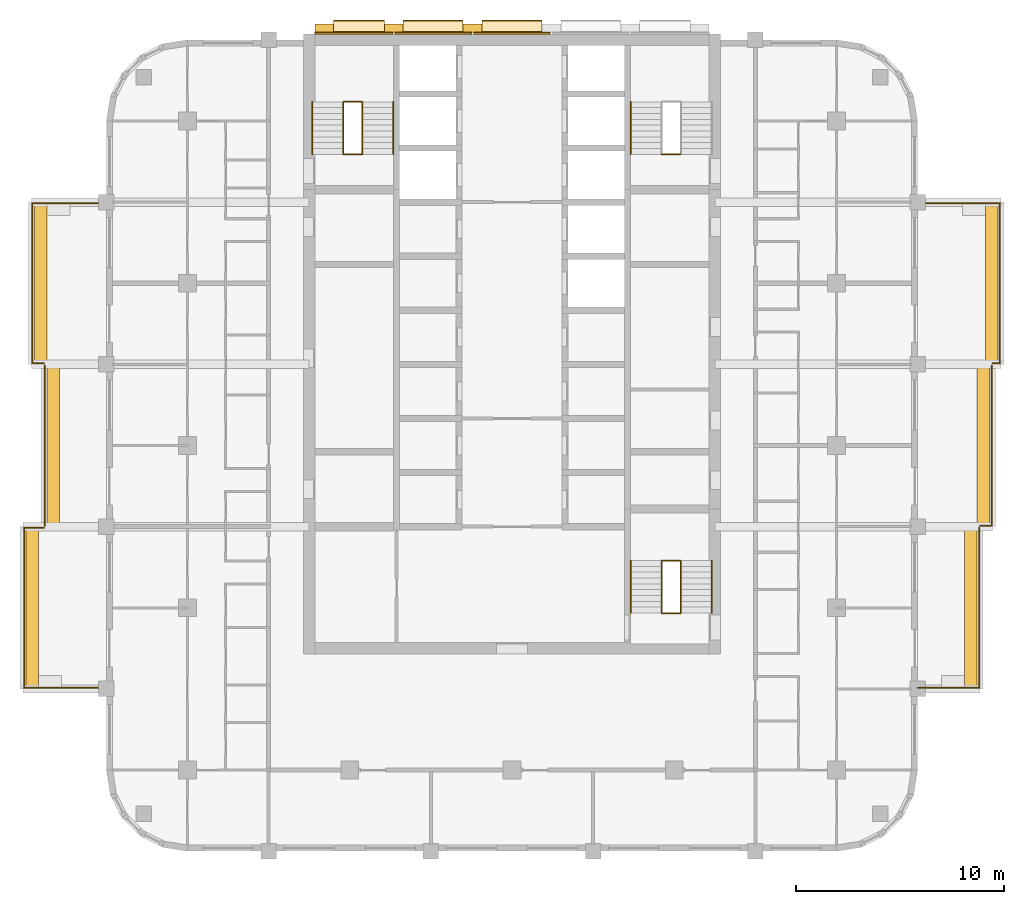
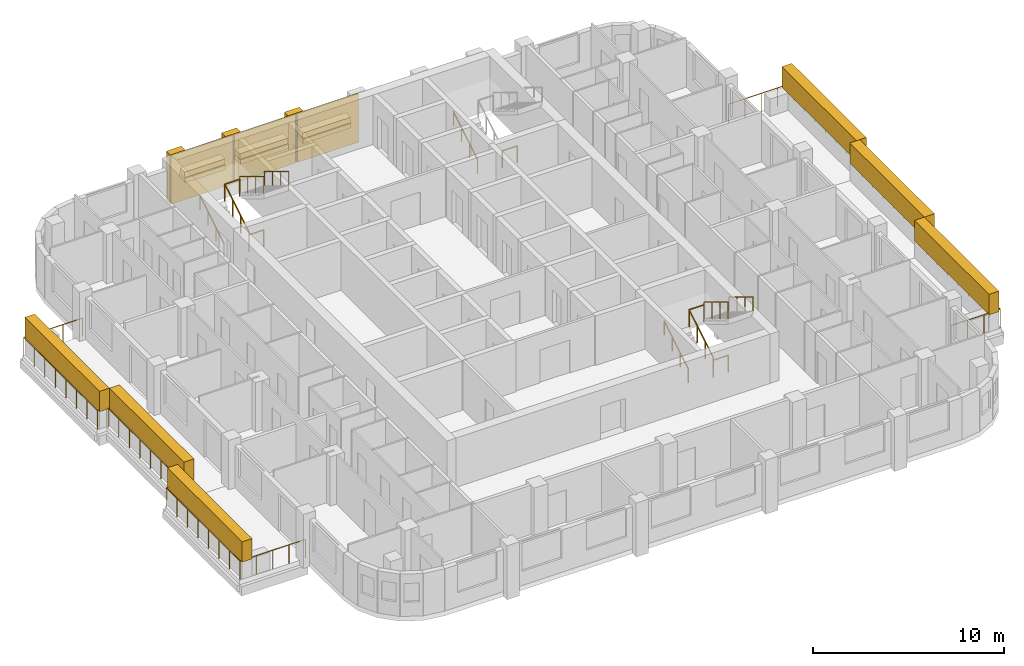
# One storey, part 12 of 13: 20 railings, 18 coverings, 3 elements without a shape of their own.
"""IFC4 building model written with IfcOpenShell, lengths in metres."""

import ifcopenshell
import ifcopenshell.guid

model = None  # the IFC model being written
_history = None  # IfcOwnerHistory: only IFC2X3 demands one
_inside = {}  # id of a spatial element -> (the spatial element, [elements in it])
_under = {}  # id of a project, library or spatial element -> (it, [spatial elements below it])
_declared = {}  # id of a project -> (the project, [libraries it declares])
_typed = {}  # id of a type object -> (the type object, [elements of that type])
_made_of = {}  # id of a material, layer set ... -> (it, [elements and type objects made of it])


def new_model(schema):
    """Start an empty IFC model of exactly this schema.

    Asked for "IFC4X3", IfcOpenShell would pick the latest addendum, in which some entities
    have other attributes; the version numbers below select the first issue.
    IFC2X3 requires an IfcOwnerHistory on every rooted entity: one is made here for all.
    """
    global model, _history
    if schema == "IFC4X3":
        model = ifcopenshell.file(schema_version=(4, 3, 0, 0))
    else:
        model = ifcopenshell.file(schema=schema)
    _inside.clear()
    _under.clear()
    _declared.clear()
    _typed.clear()
    _made_of.clear()
    _history = None
    if model.schema == "IFC2X3":
        org = make("IfcOrganization", Name="unknown")
        user = make(
            "IfcPersonAndOrganization",
            ThePerson=make("IfcPerson", FamilyName="unknown"),
            TheOrganization=org,
        )
        app = make(
            "IfcApplication",
            ApplicationDeveloper=org,
            Version="unknown",
            ApplicationFullName="unknown",
            ApplicationIdentifier="unknown",
        )
        _history = make(
            "IfcOwnerHistory",
            OwningUser=user,
            OwningApplication=app,
            ChangeAction="ADDED",
            CreationDate=0,
        )
    return model


def make(cls, **values):
    """One entity of the class cls with the attributes given. An attribute that is None is left unset."""
    return model.create_entity(
        cls, **{name: value for name, value in values.items() if value is not None}
    )


def rooted(cls, **values):
    """An entity with a GlobalId (a new one), such as an element, a storey or a relation."""
    return make(cls, GlobalId=ifcopenshell.guid.new(), OwnerHistory=_history, **values)


def si_unit(unit_type, name, prefix=None):
    """IfcSIUnit, for example si_unit("LENGTHUNIT", "METRE", prefix="MILLI")."""
    return make("IfcSIUnit", UnitType=unit_type, Prefix=prefix, Name=name)


def assignment(units):
    """IfcUnitAssignment: the units of a project."""
    return None if units is None else make("IfcUnitAssignment", Units=units)


def point(xyz):
    """IfcCartesianPoint."""
    return None if xyz is None else make("IfcCartesianPoint", Coordinates=xyz)


def direction(xyz):
    """IfcDirection."""
    return None if xyz is None else make("IfcDirection", DirectionRatios=xyz)


def frame(location, z_axis=None, x_axis=None):
    """IfcAxis2Placement3D, a coordinate frame: its origin and axes. An axis left out is left unset."""
    return make(
        "IfcAxis2Placement3D",
        Location=point(location),
        Axis=direction(z_axis),
        RefDirection=direction(x_axis),
    )


def frame_2d(location, x_axis=None):
    """IfcAxis2Placement2D, a coordinate frame in the plane: its origin and x axis."""
    return make(
        "IfcAxis2Placement2D", Location=point(location), RefDirection=direction(x_axis)
    )


def origin():
    """The frame at (0, 0, 0) with its axes left unset."""
    return frame((0.0, 0.0, 0.0))


def origin_2d():
    """The frame at (0, 0) in the plane with its x axis left unset."""
    return frame_2d((0.0, 0.0))


def place(relative_to, where):
    """IfcLocalPlacement: puts the frame where relative to a parent placement (None: the world)."""
    return make(
        "IfcLocalPlacement", PlacementRelTo=relative_to, RelativePlacement=where
    )


def context(
    kind, dimensions, precision=None, world=None, true_north=None, identifier=None
):
    """IfcGeometricRepresentationContext, for example the 3D "Model" context."""
    return make(
        "IfcGeometricRepresentationContext",
        ContextIdentifier=identifier,
        ContextType=kind,
        CoordinateSpaceDimension=dimensions,
        Precision=precision,
        WorldCoordinateSystem=world,
        TrueNorth=true_north,
    )


def subcontext(parent, identifier, kind, view, scale=None):
    """IfcGeometricRepresentationSubContext, for example "Body" below "Model"."""
    return make(
        "IfcGeometricRepresentationSubContext",
        ContextIdentifier=identifier,
        ContextType=kind,
        ParentContext=parent,
        TargetScale=scale,
        TargetView=view,
    )


def project(units=None, contexts=None):
    """IfcProject with its units and contexts."""
    return rooted(
        "IfcProject",
        Name="project",
        RepresentationContexts=contexts,
        UnitsInContext=assignment(units),
    )


def spatial(cls, under=None, at=None, **own):
    """A site, building, storey or space (cls), placed at a placement, below another one or the project."""
    s = rooted(cls, ObjectPlacement=at, **own)
    if under is not None:
        _under.setdefault(under.id(), (under, []))[1].append(s)
    return s


def profile(cls, at=None, kind="AREA", **sizes):
    """A parametric profile (cls). Its sizes go by their IFC names, for example OverallWidth=200.0."""
    return make(cls, ProfileType=kind, Position=at, **sizes)


def rectangle(**sizes):
    """IfcRectangleProfileDef."""
    return profile("IfcRectangleProfileDef", **sizes)


def circle(**sizes):
    """IfcCircleProfileDef."""
    return profile("IfcCircleProfileDef", **sizes)


def extrude(swept, where, along, depth):
    """IfcExtrudedAreaSolid: the profile swept, set in the frame where, extruded along a direction by depth."""
    return make(
        "IfcExtrudedAreaSolid",
        SweptArea=swept,
        Position=where,
        ExtrudedDirection=direction(along),
        Depth=depth,
    )


def shape(context_of_items, identifier, shape_type, items):
    """IfcShapeRepresentation: the items that make up one representation, for example the "Body"."""
    return make(
        "IfcShapeRepresentation",
        ContextOfItems=context_of_items,
        RepresentationIdentifier=identifier,
        RepresentationType=shape_type,
        Items=items,
    )


def material(Name=None, Category=None):
    """IfcMaterial."""
    return make("IfcMaterial", Name=Name, Category=Category)


def layer(
    of_material, thickness, ventilated=None, Name=None, Category=None, Priority=None
):
    """IfcMaterialLayer: one layer of a wall or slab, of a material (None: an air gap)."""
    return make(
        "IfcMaterialLayer",
        Material=of_material,
        LayerThickness=thickness,
        IsVentilated=ventilated,
        Name=Name,
        Category=Category,
        Priority=Priority,
    )


def layer_set(layers, Name=None):
    """IfcMaterialLayerSet."""
    return make("IfcMaterialLayerSet", MaterialLayers=layers, LayerSetName=Name)


def made_of(thing, what):
    """Note that an element or type object is made of a material, layer set ...; save() writes the relation."""
    if what is not None:
        _made_of.setdefault(what.id(), (what, []))[1].append(thing)
    return thing


def type_object(cls, material=None, **own):
    """A type object (cls), such as IfcWallType, which elements share."""
    return made_of(rooted(cls, **own), material)


def element(
    cls,
    number,
    at=None,
    inside=None,
    cuts=None,
    type_object=None,
    material=None,
    context=None,
    identifier="Body",
    shape_type=None,
    held_by="IfcProductDefinitionShape",
    body=None,
    shapes=None,
    **own,
):
    """One element of the class cls, such as IfcWall. Its Tag is "e" and its number.

    at: its placement. inside: the storey or other place that contains it. cuts: it is an
    opening in that element (IfcRelVoidsElement). A single representation is given by context,
    identifier, shape_type and body (its items); several are given by shapes. held_by: the class
    of the entity that holds the representations. save() writes the other relations.
    """
    e = rooted(cls, Tag="e%d" % number, ObjectPlacement=at, **own)
    if body is not None:
        shapes = [shape(context, identifier, shape_type, body)]
    if shapes is not None:
        e.Representation = make(held_by, Representations=shapes)
    if inside is not None:
        _inside.setdefault(inside.id(), (inside, []))[1].append(e)
    if cuts is not None:
        rooted(
            "IfcRelVoidsElement", RelatingBuildingElement=cuts, RelatedOpeningElement=e
        )
    if type_object is not None:
        _typed.setdefault(type_object.id(), (type_object, []))[1].append(e)
    return made_of(e, material)


def aggregate(whole, parts):
    """IfcRelAggregates: a whole, such as a stair, and the parts it consists of."""
    return rooted("IfcRelAggregates", RelatingObject=whole, RelatedObjects=parts)


def save(model, path):
    """Write the relations noted so far, then the file.

    IfcRelAggregates (storeys below a building ...), IfcRelContainedInSpatialStructure (elements
    in a storey), IfcRelDefinesByType, IfcRelAssociatesMaterial and IfcRelDeclares: one each for
    every whole, place, type object, material and project.
    """
    for whole, parts in _under.values():
        aggregate(whole, parts)
    for where, things in _inside.values():
        rooted(
            "IfcRelContainedInSpatialStructure",
            RelatedElements=things,
            RelatingStructure=where,
        )
    for kind, things in _typed.values():
        rooted("IfcRelDefinesByType", RelatedObjects=things, RelatingType=kind)
    for what, things in _made_of.values():
        rooted("IfcRelAssociatesMaterial", RelatedObjects=things, RelatingMaterial=what)
    for by, libraries in _declared.values():
        rooted("IfcRelDeclares", RelatingContext=by, RelatedDefinitions=libraries)
    model.write(path)


model = new_model("IFC4")

# Units and contexts
model_context = context("Model", 3, precision=1e-05, world=origin(), true_north=direction((0.0, 1.0)))
body_context = subcontext(model_context, "Body", "Model", "MODEL_VIEW")
ifc_project = project(units=[si_unit("LENGTHUNIT", "METRE"), si_unit("AREAUNIT", "SQUARE_METRE"), si_unit("VOLUMEUNIT", "CUBIC_METRE"), si_unit("PLANEANGLEUNIT", "RADIAN"), si_unit("MASSUNIT", "GRAM", prefix="KILO")], contexts=[model_context])

# Site, building, storey
site_placement = place(None, origin())
site = spatial("IfcSite", under=ifc_project, at=site_placement, CompositionType="ELEMENT")
building_placement = place(site_placement, origin())
building = spatial("IfcBuilding", under=site, at=building_placement, Name="Ludao Terraces", CompositionType="ELEMENT")
storey_placement = place(building_placement, frame((0.0, 0.0, 148.60009765625)))
storey = spatial("IfcBuildingStorey", under=building, at=storey_placement, Name="L40", CompositionType="ELEMENT", Elevation=148.60009765625)

# Railings
ifc_material_1 = material(Name="Stainless steel 304", Category="steel")
railing_type_1 = type_object("IfcRailingType", Name="ENV Balcony glass guard 1200", PredefinedType="GUARDRAIL", material=ifc_material_1)
railing_1_placement = place(storey_placement, frame((104.5, 53.35009765625, 0.0)))
element("IfcRailing", 1, at=railing_1_placement, inside=storey, type_object=railing_type_1, Name="Balcony guard L40 E1", PredefinedType="GUARDRAIL", context=body_context, shape_type="SweptSolid", body=[
    extrude(circle(Radius=0.02392578125, at=origin_2d()), frame((0.0, 0.0, 1.17578125), z_axis=(1.0, 0.0, 0.0), x_axis=(0.0, 1.0, 0.0)), (0.0, 0.0, 1.0), 2.949951171875),
    extrude(circle(Radius=0.02392578125, at=origin_2d()), frame((2.949951171875, 0.0, 1.17578125), z_axis=(0.0, 1.0, 0.0), x_axis=(-1.0, 0.0, 0.0)), (0.0, 0.0, 1.0), 7.699951171875),
    extrude(circle(Radius=0.02099609375, at=origin_2d()), origin(), (0.0, 0.0, 1.0), 1.15185546875),
    extrude(circle(Radius=0.02099609375, at=origin_2d()), frame((0.9833984375, 0.0, 0.0)), (0.0, 0.0, 1.0), 1.15185546875),
    extrude(circle(Radius=0.02099609375, at=origin_2d()), frame((1.966552734375, 0.0, 0.0)), (0.0, 0.0, 1.0), 1.15185546875),
    extrude(circle(Radius=0.02099609375, at=origin_2d()), frame((2.949951171875, 0.0, 0.0)), (0.0, 0.0, 1.0), 1.15185546875),
    extrude(circle(Radius=0.02099609375, at=origin_2d()), frame((2.949951171875, 1.10009765625, 0.0)), (0.0, 0.0, 1.0), 1.15185546875),
    extrude(circle(Radius=0.02099609375, at=origin_2d()), frame((2.949951171875, 2.199951171875, 0.0)), (0.0, 0.0, 1.0), 1.15185546875),
    extrude(circle(Radius=0.02099609375, at=origin_2d()), frame((2.949951171875, 3.300048828125, 0.0)), (0.0, 0.0, 1.0), 1.15185546875),
    extrude(circle(Radius=0.02099609375, at=origin_2d()), frame((2.949951171875, 4.39990234375, 0.0)), (0.0, 0.0, 1.0), 1.15185546875),
    extrude(circle(Radius=0.02099609375, at=origin_2d()), frame((2.949951171875, 5.5, 0.0)), (0.0, 0.0, 1.0), 1.15185546875),
    extrude(circle(Radius=0.02099609375, at=origin_2d()), frame((2.949951171875, 6.599853515625, 0.0)), (0.0, 0.0, 1.0), 1.15185546875),
    extrude(circle(Radius=0.02099609375, at=origin_2d()), frame((2.949951171875, 7.699951171875, 0.0)), (0.0, 0.0, 1.0), 1.15185546875),
])
railing_2_placement = place(storey_placement, frame((107.5, 61.14990234375, 0.0)))
element("IfcRailing", 2, at=railing_2_placement, inside=storey, type_object=railing_type_1, Name="Balcony guard L40 E2", PredefinedType="GUARDRAIL", context=body_context, shape_type="SweptSolid", body=[
    extrude(circle(Radius=0.02392578125, at=origin_2d()), frame((0.0, 0.0, 1.17578125), z_axis=(1.0, 0.0, 0.0), x_axis=(0.0, 1.0, 0.0)), (0.0, 0.0, 1.0), 0.550048828125),
    extrude(circle(Radius=0.02392578125, at=origin_2d()), frame((0.550048828125, 0.0, 1.17578125), z_axis=(0.0, 1.0, 0.0), x_axis=(-1.0, 0.0, 0.0)), (0.0, 0.0, 1.0), 7.7001953125),
    extrude(circle(Radius=0.02099609375, at=origin_2d()), origin(), (0.0, 0.0, 1.0), 1.15185546875),
    extrude(circle(Radius=0.02099609375, at=origin_2d()), frame((0.550048828125, 0.0, 0.0)), (0.0, 0.0, 1.0), 1.15185546875),
    extrude(circle(Radius=0.02099609375, at=origin_2d()), frame((0.550048828125, 1.10009765625, 0.0)), (0.0, 0.0, 1.0), 1.15185546875),
    extrude(circle(Radius=0.02099609375, at=origin_2d()), frame((0.550048828125, 2.199951171875, 0.0)), (0.0, 0.0, 1.0), 1.15185546875),
    extrude(circle(Radius=0.02099609375, at=origin_2d()), frame((0.550048828125, 3.300048828125, 0.0)), (0.0, 0.0, 1.0), 1.15185546875),
    extrude(circle(Radius=0.02099609375, at=origin_2d()), frame((0.550048828125, 4.400146484375, 0.0)), (0.0, 0.0, 1.0), 1.15185546875),
    extrude(circle(Radius=0.02099609375, at=origin_2d()), frame((0.550048828125, 5.500244140625, 0.0)), (0.0, 0.0, 1.0), 1.15185546875),
    extrude(circle(Radius=0.02099609375, at=origin_2d()), frame((0.550048828125, 6.60009765625, 0.0)), (0.0, 0.0, 1.0), 1.15185546875),
    extrude(circle(Radius=0.02099609375, at=origin_2d()), frame((0.550048828125, 7.7001953125, 0.0)), (0.0, 0.0, 1.0), 1.15185546875),
])
railing_3_placement = place(storey_placement, frame((108.10009765625, 68.949951171875, 0.0)))
element("IfcRailing", 3, at=railing_3_placement, inside=storey, type_object=railing_type_1, Name="Balcony guard L40 E3", PredefinedType="GUARDRAIL", context=body_context, shape_type="SweptSolid", body=[
    extrude(circle(Radius=0.02392578125, at=origin_2d()), frame((0.0, 0.0, 1.17578125), z_axis=(1.0, 0.0, 0.0), x_axis=(0.0, 1.0, 0.0)), (0.0, 0.0, 1.0), 0.349853515625),
    extrude(circle(Radius=0.02392578125, at=origin_2d()), frame((0.349853515625, 0.0, 1.17578125), z_axis=(0.0, 1.0, 0.0), x_axis=(-1.0, 0.0, 0.0)), (0.0, 0.0, 1.0), 7.699951171875),
    extrude(circle(Radius=0.02392578125, at=origin_2d()), frame((0.349853515625, 7.699951171875, 1.17578125), z_axis=(-1.0, 0.0, 0.0), x_axis=(0.0, -1.0, 0.0)), (0.0, 0.0, 1.0), 3.949951171875),
    extrude(circle(Radius=0.02099609375, at=origin_2d()), origin(), (0.0, 0.0, 1.0), 1.15185546875),
    extrude(circle(Radius=0.02099609375, at=origin_2d()), frame((0.349853515625, 0.0, 0.0)), (0.0, 0.0, 1.0), 1.15185546875),
    extrude(circle(Radius=0.02099609375, at=origin_2d()), frame((0.349853515625, 1.10009765625, 0.0)), (0.0, 0.0, 1.0), 1.15185546875),
    extrude(circle(Radius=0.02099609375, at=origin_2d()), frame((0.349853515625, 2.199951171875, 0.0)), (0.0, 0.0, 1.0), 1.15185546875),
    extrude(circle(Radius=0.02099609375, at=origin_2d()), frame((0.349853515625, 3.300048828125, 0.0)), (0.0, 0.0, 1.0), 1.15185546875),
    extrude(circle(Radius=0.02099609375, at=origin_2d()), frame((0.349853515625, 4.39990234375, 0.0)), (0.0, 0.0, 1.0), 1.15185546875),
    extrude(circle(Radius=0.02099609375, at=origin_2d()), frame((0.349853515625, 5.5, 0.0)), (0.0, 0.0, 1.0), 1.15185546875),
    extrude(circle(Radius=0.02099609375, at=origin_2d()), frame((0.349853515625, 6.599853515625, 0.0)), (0.0, 0.0, 1.0), 1.15185546875),
    extrude(circle(Radius=0.02099609375, at=origin_2d()), frame((0.349853515625, 7.699951171875, 0.0)), (0.0, 0.0, 1.0), 1.15185546875),
    extrude(circle(Radius=0.02099609375, at=origin_2d()), frame((-0.6376953125, 7.699951171875, 0.0)), (0.0, 0.0, 1.0), 1.15185546875),
    extrude(circle(Radius=0.02099609375, at=origin_2d()), frame((-1.625, 7.699951171875, 0.0)), (0.0, 0.0, 1.0), 1.15185546875),
    extrude(circle(Radius=0.02099609375, at=origin_2d()), frame((-2.612548828125, 7.699951171875, 0.0)), (0.0, 0.0, 1.0), 1.15185546875),
    extrude(circle(Radius=0.02099609375, at=origin_2d()), frame((-3.60009765625, 7.699951171875, 0.0)), (0.0, 0.0, 1.0), 1.15185546875),
])
railing_4_placement = place(storey_placement, frame((65.5, 53.35009765625, 0.0)))
element("IfcRailing", 4, at=railing_4_placement, inside=storey, type_object=railing_type_1, Name="Balcony guard L40 W1", PredefinedType="GUARDRAIL", context=body_context, shape_type="SweptSolid", body=[
    extrude(circle(Radius=0.02392578125, at=origin_2d()), frame((0.0, 0.0, 1.17578125), z_axis=(-1.0, 0.0, 0.0), x_axis=(0.0, -1.0, 0.0)), (0.0, 0.0, 1.0), 3.949951171875),
    extrude(circle(Radius=0.02392578125, at=origin_2d()), frame((-3.949951171875, 0.0, 1.17578125), z_axis=(0.0, 1.0, 0.0), x_axis=(-1.0, 0.0, 0.0)), (0.0, 0.0, 1.0), 7.699951171875),
    extrude(circle(Radius=0.02392578125, at=origin_2d()), frame((-3.949951171875, 7.699951171875, 1.17578125), z_axis=(1.0, 0.0, 0.0), x_axis=(0.0, 1.0, 0.0)), (0.0, 0.0, 1.0), 0.949951171875),
    extrude(circle(Radius=0.02099609375, at=origin_2d()), origin(), (0.0, 0.0, 1.0), 1.15185546875),
    extrude(circle(Radius=0.02099609375, at=origin_2d()), frame((-0.987548828125, 0.0, 0.0)), (0.0, 0.0, 1.0), 1.15185546875),
    extrude(circle(Radius=0.02099609375, at=origin_2d()), frame((-1.97509765625, 0.0, 0.0)), (0.0, 0.0, 1.0), 1.15185546875),
    extrude(circle(Radius=0.02099609375, at=origin_2d()), frame((-2.96240234375, 0.0, 0.0)), (0.0, 0.0, 1.0), 1.15185546875),
    extrude(circle(Radius=0.02099609375, at=origin_2d()), frame((-3.949951171875, 0.0, 0.0)), (0.0, 0.0, 1.0), 1.15185546875),
    extrude(circle(Radius=0.02099609375, at=origin_2d()), frame((-3.949951171875, 1.10009765625, 0.0)), (0.0, 0.0, 1.0), 1.15185546875),
    extrude(circle(Radius=0.02099609375, at=origin_2d()), frame((-3.949951171875, 2.199951171875, 0.0)), (0.0, 0.0, 1.0), 1.15185546875),
    extrude(circle(Radius=0.02099609375, at=origin_2d()), frame((-3.949951171875, 3.300048828125, 0.0)), (0.0, 0.0, 1.0), 1.15185546875),
    extrude(circle(Radius=0.02099609375, at=origin_2d()), frame((-3.949951171875, 4.39990234375, 0.0)), (0.0, 0.0, 1.0), 1.15185546875),
    extrude(circle(Radius=0.02099609375, at=origin_2d()), frame((-3.949951171875, 5.5, 0.0)), (0.0, 0.0, 1.0), 1.15185546875),
    extrude(circle(Radius=0.02099609375, at=origin_2d()), frame((-3.949951171875, 6.599853515625, 0.0)), (0.0, 0.0, 1.0), 1.15185546875),
    extrude(circle(Radius=0.02099609375, at=origin_2d()), frame((-3.949951171875, 7.699951171875, 0.0)), (0.0, 0.0, 1.0), 1.15185546875),
    extrude(circle(Radius=0.02099609375, at=origin_2d()), frame((-3.0, 7.699951171875, 0.0)), (0.0, 0.0, 1.0), 1.15185546875),
])
railing_5_placement = place(storey_placement, frame((62.550048828125, 61.14990234375, 0.0)))
element("IfcRailing", 5, at=railing_5_placement, inside=storey, type_object=railing_type_1, Name="Balcony guard L40 W2", PredefinedType="GUARDRAIL", context=body_context, shape_type="SweptSolid", body=[
    extrude(circle(Radius=0.02392578125, at=origin_2d()), frame((0.0, 0.0, 1.17578125), z_axis=(0.0, 1.0, 0.0), x_axis=(-1.0, 0.0, 0.0)), (0.0, 0.0, 1.0), 7.7001953125),
    extrude(circle(Radius=0.02099609375, at=origin_2d()), origin(), (0.0, 0.0, 1.0), 1.15185546875),
    extrude(circle(Radius=0.02099609375, at=origin_2d()), frame((0.0, 1.10009765625, 0.0)), (0.0, 0.0, 1.0), 1.15185546875),
    extrude(circle(Radius=0.02099609375, at=origin_2d()), frame((0.0, 2.199951171875, 0.0)), (0.0, 0.0, 1.0), 1.15185546875),
    extrude(circle(Radius=0.02099609375, at=origin_2d()), frame((0.0, 3.300048828125, 0.0)), (0.0, 0.0, 1.0), 1.15185546875),
    extrude(circle(Radius=0.02099609375, at=origin_2d()), frame((0.0, 4.400146484375, 0.0)), (0.0, 0.0, 1.0), 1.15185546875),
    extrude(circle(Radius=0.02099609375, at=origin_2d()), frame((0.0, 5.500244140625, 0.0)), (0.0, 0.0, 1.0), 1.15185546875),
    extrude(circle(Radius=0.02099609375, at=origin_2d()), frame((0.0, 6.60009765625, 0.0)), (0.0, 0.0, 1.0), 1.15185546875),
    extrude(circle(Radius=0.02099609375, at=origin_2d()), frame((0.0, 7.7001953125, 0.0)), (0.0, 0.0, 1.0), 1.15185546875),
])
railing_6_placement = place(storey_placement, frame((62.5, 68.949951171875, 0.0)))
element("IfcRailing", 6, at=railing_6_placement, inside=storey, type_object=railing_type_1, Name="Balcony guard L40 W3", PredefinedType="GUARDRAIL", context=body_context, shape_type="SweptSolid", body=[
    extrude(circle(Radius=0.02392578125, at=origin_2d()), frame((0.0, 0.0, 1.17578125), z_axis=(-1.0, 0.0, 0.0), x_axis=(0.0, -1.0, 0.0)), (0.0, 0.0, 1.0), 0.550048828125),
    extrude(circle(Radius=0.02392578125, at=origin_2d()), frame((-0.550048828125, 0.0, 1.17578125), z_axis=(0.0, 1.0, 0.0), x_axis=(-1.0, 0.0, 0.0)), (0.0, 0.0, 1.0), 7.699951171875),
    extrude(circle(Radius=0.02392578125, at=origin_2d()), frame((-0.550048828125, 7.699951171875, 1.17578125), z_axis=(1.0, 0.0, 0.0), x_axis=(0.0, 1.0, 0.0)), (0.0, 0.0, 1.0), 3.550048828125),
    extrude(circle(Radius=0.02099609375, at=origin_2d()), origin(), (0.0, 0.0, 1.0), 1.15185546875),
    extrude(circle(Radius=0.02099609375, at=origin_2d()), frame((-0.550048828125, 0.0, 0.0)), (0.0, 0.0, 1.0), 1.15185546875),
    extrude(circle(Radius=0.02099609375, at=origin_2d()), frame((-0.550048828125, 1.10009765625, 0.0)), (0.0, 0.0, 1.0), 1.15185546875),
    extrude(circle(Radius=0.02099609375, at=origin_2d()), frame((-0.550048828125, 2.199951171875, 0.0)), (0.0, 0.0, 1.0), 1.15185546875),
    extrude(circle(Radius=0.02099609375, at=origin_2d()), frame((-0.550048828125, 3.300048828125, 0.0)), (0.0, 0.0, 1.0), 1.15185546875),
    extrude(circle(Radius=0.02099609375, at=origin_2d()), frame((-0.550048828125, 4.39990234375, 0.0)), (0.0, 0.0, 1.0), 1.15185546875),
    extrude(circle(Radius=0.02099609375, at=origin_2d()), frame((-0.550048828125, 5.5, 0.0)), (0.0, 0.0, 1.0), 1.15185546875),
    extrude(circle(Radius=0.02099609375, at=origin_2d()), frame((-0.550048828125, 6.599853515625, 0.0)), (0.0, 0.0, 1.0), 1.15185546875),
    extrude(circle(Radius=0.02099609375, at=origin_2d()), frame((-0.550048828125, 7.699951171875, 0.0)), (0.0, 0.0, 1.0), 1.15185546875),
    extrude(circle(Radius=0.02099609375, at=origin_2d()), frame((0.63330078125, 7.699951171875, 0.0)), (0.0, 0.0, 1.0), 1.15185546875),
    extrude(circle(Radius=0.02099609375, at=origin_2d()), frame((1.816650390625, 7.699951171875, 0.0)), (0.0, 0.0, 1.0), 1.15185546875),
    extrude(circle(Radius=0.02099609375, at=origin_2d()), frame((3.0, 7.699951171875, 0.0)), (0.0, 0.0, 1.0), 1.15185546875),
])

# Coverings
ifc_material_2 = material(Name="Granite cladding", Category="masonry")
ifc_layer_1 = layer(ifc_material_2, 0.39990234375)
ifc_layer_set_1 = layer_set([ifc_layer_1], Name="ENV Core pilaster stone 400")
covering_type_1 = type_object("IfcCoveringType", Name="ENV Core pilaster stone 400", PredefinedType="CLADDING", material=ifc_layer_set_1)
for number, where, z_axis, x_axis, name in (
    (7, (75.97509765625, 85.054931640625, -0.000244140625), (0.0, 0.0, 1.0), (1.0, 0.0, 0.0), "CC-L40-PIL1"),
    (8, (79.31494140625, 85.054931640625, -0.000244140625), (0.0, 0.0, 1.0), (1.0, 0.0, 0.0), "CC-L40-PIL2"),
    (9, (83.10498046875, 85.054931640625, -0.000244140625), (0.0, 0.0, 1.0), (1.0, 0.0, 0.0), "CC-L40-PIL3"),
):
    element("IfcCovering", number, at=place(storey_placement, frame(where, z_axis=z_axis, x_axis=x_axis)), inside=storey, type_object=covering_type_1, Name=name, PredefinedType="CLADDING", context=body_context, shape_type="SweptSolid", body=[
        extrude(rectangle(XDim=0.89990234375, YDim=0.39990234375, at=origin_2d()), origin(), (0.0, 0.0, 1.0), 3.10009765625),
    ])
ifc_layer_2 = layer(ifc_material_2, 0.60009765625)
ifc_layer_set_2 = layer_set([ifc_layer_2], Name="ENV Core planting shelf stone 600")
covering_type_2 = type_object("IfcCoveringType", Name="ENV Core planting shelf stone 600", PredefinedType="CLADDING", material=ifc_layer_set_2)
covering_1_placement = place(storey_placement, frame((77.64501953125, 85.155029296875, 1.0), z_axis=(0.0, 0.0, 1.0), x_axis=(1.0, 0.0, 0.0)))
element("IfcCovering", 10, at=covering_1_placement, inside=storey, type_object=covering_type_2, Name="CC-L40-SHELF1", PredefinedType="CLADDING", context=body_context, shape_type="SweptSolid", body=[
    extrude(rectangle(XDim=2.43994140625, YDim=0.60009765625, at=origin_2d()), origin(), (0.0, 0.0, 1.0), 0.300048828125),
])
for number, where, z_axis, x_axis, name in (
    (11, (81.2099609375, 85.155029296875, 1.0), (0.0, 0.0, 1.0), (1.0, 0.0, 0.0), "CC-L40-SHELF2"),
    (12, (85.0, 85.155029296875, 1.0), (0.0, 0.0, 1.0), (1.0, 0.0, 0.0), "CC-L40-SHELF3"),
):
    element("IfcCovering", number, at=place(storey_placement, frame(where, z_axis=z_axis, x_axis=x_axis)), inside=storey, type_object=covering_type_2, Name=name, PredefinedType="CLADDING", context=body_context, shape_type="SweptSolid", body=[
        extrude(rectangle(XDim=2.889892578125, YDim=0.60009765625, at=origin_2d()), origin(), (0.0, 0.0, 1.0), 0.300048828125),
    ])
ifc_layer_3 = layer(ifc_material_2, 0.080078125)
ifc_layer_set_3 = layer_set([ifc_layer_3], Name="ENV Core stone cladding panel 80")
covering_type_3 = type_object("IfcCoveringType", Name="ENV Core stone cladding panel 80", PredefinedType="CLADDING", material=ifc_layer_set_3)
covering_2_placement = place(storey_placement, frame((77.39501953125, 84.81494140625, -0.000244140625), z_axis=(0.0, 0.0, 1.0), x_axis=(1.0, 0.0, 0.0)))
element("IfcCovering", 13, at=covering_2_placement, inside=storey, type_object=covering_type_3, Name="CC-L40-CORE1", PredefinedType="CLADDING", context=body_context, shape_type="SweptSolid", body=[
    extrude(rectangle(XDim=3.739990234375, YDim=0.080078125, at=origin_2d()), origin(), (0.0, 0.0, 1.0), 3.10009765625),
])
for number, where, z_axis, x_axis, name in (
    (14, (81.2099609375, 84.81494140625, -0.000244140625), (0.0, 0.0, 1.0), (1.0, 0.0, 0.0), "CC-L40-CORE2"),
    (15, (85.0, 84.81494140625, -0.000244140625), (0.0, 0.0, 1.0), (1.0, 0.0, 0.0), "CC-L40-CORE3"),
):
    element("IfcCovering", number, at=place(storey_placement, frame(where, z_axis=z_axis, x_axis=x_axis)), inside=storey, type_object=covering_type_3, Name=name, PredefinedType="CLADDING", context=body_context, shape_type="SweptSolid", body=[
        extrude(rectangle(XDim=3.68994140625, YDim=0.080078125, at=origin_2d()), origin(), (0.0, 0.0, 1.0), 3.10009765625),
    ])
ifc_material_3 = material(Name="Planting")
ifc_layer_4 = layer(ifc_material_3, 0.60009765625)
ifc_layer_set_4 = layer_set([ifc_layer_4], Name="ENV Planting hedge 600x1300")
covering_type_4 = type_object("IfcCoveringType", Name="ENV Planting hedge 600x1300", PredefinedType="USERDEFINED", material=ifc_layer_set_4)
for number, where, z_axis, x_axis, name in (
    (16, (107.050048828125, 57.199951171875, 1.10009765625), (0.0, 0.0, 1.0), (1.0, 0.0, 0.0), "Planting hedge L40-E1"),
    (17, (107.64990234375, 65.0, 1.10009765625), (0.0, 0.0, 1.0), (1.0, 0.0, 0.0), "Planting hedge L40-E2"),
    (18, (108.050048828125, 72.800048828125, 1.10009765625), (0.0, 0.0, 1.0), (1.0, 0.0, 0.0), "Planting hedge L40-E3"),
    (19, (61.949951171875, 57.199951171875, 1.10009765625), (0.0, 0.0, 1.0), (1.0, 0.0, 0.0), "Planting hedge L40-W1"),
    (20, (62.949951171875, 65.0, 1.10009765625), (0.0, 0.0, 1.0), (1.0, 0.0, 0.0), "Planting hedge L40-W2"),
    (21, (62.35009765625, 72.800048828125, 1.10009765625), (0.0, 0.0, 1.0), (1.0, 0.0, 0.0), "Planting hedge L40-W3"),
):
    element("IfcCovering", number, at=place(storey_placement, frame(where, z_axis=z_axis, x_axis=x_axis)), inside=storey, type_object=covering_type_4, Name=name, ObjectType="PLANTING", PredefinedType="USERDEFINED", context=body_context, shape_type="SweptSolid", body=[
        extrude(rectangle(XDim=0.60009765625, YDim=7.800048828125, at=origin_2d()), origin(), (0.0, 0.0, 1.0), 1.300048828125),
    ])
ifc_layer_5 = layer(ifc_material_3, 0.5)
ifc_layer_set_5 = layer_set([ifc_layer_5], Name="ENV Shelf planting bed 350")
covering_type_5 = type_object("IfcCoveringType", Name="ENV Shelf planting bed 350", PredefinedType="USERDEFINED", material=ifc_layer_set_5)
covering_3_placement = place(storey_placement, frame((77.64501953125, 85.155029296875, 1.2998046875), z_axis=(0.0, 0.0, 1.0), x_axis=(1.0, 0.0, 0.0)))
element("IfcCovering", 22, at=covering_3_placement, inside=storey, type_object=covering_type_5, Name="Shelf planting bed L40 1", ObjectType="PLANTING", PredefinedType="USERDEFINED", context=body_context, shape_type="SweptSolid", body=[
    extrude(rectangle(XDim=2.43994140625, YDim=0.5, at=origin_2d()), origin(), (0.0, 0.0, 1.0), 0.35009765625),
])
for number, where, z_axis, x_axis, name in (
    (23, (81.2099609375, 85.155029296875, 1.2998046875), (0.0, 0.0, 1.0), (1.0, 0.0, 0.0), "Shelf planting bed L40 2"),
    (24, (85.0, 85.155029296875, 1.2998046875), (0.0, 0.0, 1.0), (1.0, 0.0, 0.0), "Shelf planting bed L40 3"),
):
    element("IfcCovering", number, at=place(storey_placement, frame(where, z_axis=z_axis, x_axis=x_axis)), inside=storey, type_object=covering_type_5, Name=name, ObjectType="PLANTING", PredefinedType="USERDEFINED", context=body_context, shape_type="SweptSolid", body=[
        extrude(rectangle(XDim=2.889892578125, YDim=0.5, at=origin_2d()), origin(), (0.0, 0.0, 1.0), 0.35009765625),
    ])

# Stair, railings
ifc_material_4 = material(Name="Concrete C40", Category="concrete")
stair_type = type_object("IfcStairType", Name="INT Stair", PredefinedType="HALF_TURN_STAIR", material=ifc_material_4)
stair_1_placement = place(storey_placement, origin())
stair_1 = element("IfcStair", 25, at=stair_1_placement, inside=storey, type_object=stair_type, Name="EXIT STAIR 1", PredefinedType="HALF_TURN_STAIR")
railing_type_2 = type_object("IfcRailingType", Name="INT Stair guard 1100", PredefinedType="GUARDRAIL", material=ifc_material_1)
railing_7_placement = place(storey_placement, frame((76.89990234375, 79.0, 0.169921875)))
railing_7 = element("IfcRailing", 26, at=railing_7_placement, type_object=railing_type_2, Name="ST-L40-S1-R1G", PredefinedType="GUARDRAIL", context=body_context, shape_type="SweptSolid", body=[
    extrude(circle(Radius=0.02392578125, at=origin_2d()), frame((0.0, 0.0, 1.076171875), z_axis=(0.0, 0.85478489116, 0.518982456201), x_axis=(-1.0, 0.0, 0.0)), (0.0, 0.0, 1.0), 2.9482421875),
    extrude(circle(Radius=0.02099609375, at=origin_2d()), origin(), (0.0, 0.0, 1.0), 1.052001953125),
    extrude(circle(Radius=0.02099609375, at=origin_2d()), frame((0.0, 0.840087890625, 0.510009765625)), (0.0, 0.0, 1.0), 1.052001953125),
    extrude(circle(Radius=0.02099609375, at=origin_2d()), frame((0.0, 1.679931640625, 1.02001953125)), (0.0, 0.0, 1.0), 1.052001953125),
    extrude(circle(Radius=0.02099609375, at=origin_2d()), frame((0.0, 2.52001953125, 1.530029296875)), (0.0, 0.0, 1.0), 1.052001953125),
])
railing_8_placement = place(storey_placement, frame((77.800048828125, 81.52001953125, 1.869873046875)))
railing_8 = element("IfcRailing", 27, at=railing_8_placement, type_object=railing_type_2, Name="ST-L40-S1-R2G", PredefinedType="GUARDRAIL", context=body_context, shape_type="SweptSolid", body=[
    extrude(circle(Radius=0.02392578125, at=origin_2d()), frame((0.0, 0.0, 1.076171875), z_axis=(0.0, -0.85478489116, 0.518982456201), x_axis=(1.0, 0.0, 0.0)), (0.0, 0.0, 1.0), 2.9482421875),
    extrude(circle(Radius=0.02099609375, at=origin_2d()), origin(), (0.0, 0.0, 1.0), 1.052001953125),
    extrude(circle(Radius=0.02099609375, at=origin_2d()), frame((0.0, -0.840087890625, 0.510009765625)), (0.0, 0.0, 1.0), 1.052001953125),
    extrude(circle(Radius=0.02099609375, at=origin_2d()), frame((0.0, -1.679931640625, 1.02001953125)), (0.0, 0.0, 1.0), 1.052001953125),
    extrude(circle(Radius=0.02099609375, at=origin_2d()), frame((0.0, -2.52001953125, 1.530029296875)), (0.0, 0.0, 1.0), 1.052001953125),
])
railing_9_placement = place(storey_placement, frame((76.89990234375, 81.52001953125, 1.699951171875)))
railing_9 = element("IfcRailing", 28, at=railing_9_placement, type_object=railing_type_2, Name="ST-L40-S1-E1G", PredefinedType="GUARDRAIL", context=body_context, shape_type="SweptSolid", body=[
    extrude(circle(Radius=0.02392578125, at=origin_2d()), frame((0.0, 0.0, 1.076171875), z_axis=(1.0, 0.0, 0.0), x_axis=(0.0, 1.0, 0.0)), (0.0, 0.0, 1.0), 0.900146484375),
    extrude(circle(Radius=0.02099609375, at=origin_2d()), origin(), (0.0, 0.0, 1.0), 1.052001953125),
    extrude(circle(Radius=0.02099609375, at=origin_2d()), frame((0.900146484375, 0.0, 0.0)), (0.0, 0.0, 1.0), 1.052001953125),
])
railing_10_placement = place(storey_placement, frame((76.89990234375, 79.0, 0.0)))
railing_10 = element("IfcRailing", 29, at=railing_10_placement, type_object=railing_type_2, Name="ST-L40-S1-E2G", PredefinedType="GUARDRAIL", context=body_context, shape_type="SweptSolid", body=[
    extrude(circle(Radius=0.02392578125, at=origin_2d()), frame((0.0, 0.0, 1.076171875), z_axis=(1.0, 0.0, 0.0), x_axis=(0.0, 1.0, 0.0)), (0.0, 0.0, 1.0), 0.900146484375),
    extrude(circle(Radius=0.02099609375, at=origin_2d()), origin(), (0.0, 0.0, 1.0), 1.052001953125),
    extrude(circle(Radius=0.02099609375, at=origin_2d()), frame((0.900146484375, 0.0, 0.0)), (0.0, 0.0, 1.0), 1.052001953125),
])

# Stair, railing
stair_2_placement = place(storey_placement, origin())
stair_2 = element("IfcStair", 30, at=stair_2_placement, inside=storey, type_object=stair_type, Name="EXIT STAIR 2", PredefinedType="HALF_TURN_STAIR")
railing_11_placement = place(storey_placement, frame((92.199951171875, 79.0, 0.0)))
railing_11 = element("IfcRailing", 31, at=railing_11_placement, type_object=railing_type_2, Name="ST-L40-S2-E2G", PredefinedType="GUARDRAIL", context=body_context, shape_type="SweptSolid", body=[
    extrude(circle(Radius=0.02392578125, at=origin_2d()), frame((0.0, 0.0, 1.076171875), z_axis=(1.0, 0.0, 0.0), x_axis=(0.0, 1.0, 0.0)), (0.0, 0.0, 1.0), 0.900146484375),
    extrude(circle(Radius=0.02099609375, at=origin_2d()), origin(), (0.0, 0.0, 1.0), 1.052001953125),
    extrude(circle(Radius=0.02099609375, at=origin_2d()), frame((0.900146484375, 0.0, 0.0)), (0.0, 0.0, 1.0), 1.052001953125),
])

# Stair, railings
stair_3_placement = place(storey_placement, origin())
stair_3 = element("IfcStair", 32, at=stair_3_placement, inside=storey, type_object=stair_type, Name="EXIT STAIR 3", PredefinedType="HALF_TURN_STAIR")
railing_12_placement = place(storey_placement, frame((92.199951171875, 56.949951171875, 0.169921875)))
railing_12 = element("IfcRailing", 33, at=railing_12_placement, type_object=railing_type_2, Name="ST-L40-S3-R1G", PredefinedType="GUARDRAIL", context=body_context, shape_type="SweptSolid", body=[
    extrude(circle(Radius=0.02392578125, at=origin_2d()), frame((0.0, 0.0, 1.076171875), z_axis=(0.0, 0.85478489116, 0.518982456201), x_axis=(-1.0, 0.0, 0.0)), (0.0, 0.0, 1.0), 2.9482421875),
    extrude(circle(Radius=0.02099609375, at=origin_2d()), origin(), (0.0, 0.0, 1.0), 1.052001953125),
    extrude(circle(Radius=0.02099609375, at=origin_2d()), frame((0.0, 0.840087890625, 0.510009765625)), (0.0, 0.0, 1.0), 1.052001953125),
    extrude(circle(Radius=0.02099609375, at=origin_2d()), frame((0.0, 1.679931640625, 1.02001953125)), (0.0, 0.0, 1.0), 1.052001953125),
    extrude(circle(Radius=0.02099609375, at=origin_2d()), frame((0.0, 2.52001953125, 1.530029296875)), (0.0, 0.0, 1.0), 1.052001953125),
])
railing_13_placement = place(storey_placement, frame((93.10009765625, 59.469970703125, 1.869873046875)))
railing_13 = element("IfcRailing", 34, at=railing_13_placement, type_object=railing_type_2, Name="ST-L40-S3-R2G", PredefinedType="GUARDRAIL", context=body_context, shape_type="SweptSolid", body=[
    extrude(circle(Radius=0.02392578125, at=origin_2d()), frame((0.0, 0.0, 1.076171875), z_axis=(0.0, -0.85478489116, 0.518982456201), x_axis=(1.0, 0.0, 0.0)), (0.0, 0.0, 1.0), 2.9482421875),
    extrude(circle(Radius=0.02099609375, at=origin_2d()), origin(), (0.0, 0.0, 1.0), 1.052001953125),
    extrude(circle(Radius=0.02099609375, at=origin_2d()), frame((0.0, -0.840087890625, 0.510009765625)), (0.0, 0.0, 1.0), 1.052001953125),
    extrude(circle(Radius=0.02099609375, at=origin_2d()), frame((0.0, -1.679931640625, 1.02001953125)), (0.0, 0.0, 1.0), 1.052001953125),
    extrude(circle(Radius=0.02099609375, at=origin_2d()), frame((0.0, -2.52001953125, 1.530029296875)), (0.0, 0.0, 1.0), 1.052001953125),
])
railing_14_placement = place(storey_placement, frame((92.199951171875, 59.469970703125, 1.699951171875)))
railing_14 = element("IfcRailing", 35, at=railing_14_placement, type_object=railing_type_2, Name="ST-L40-S3-E1G", PredefinedType="GUARDRAIL", context=body_context, shape_type="SweptSolid", body=[
    extrude(circle(Radius=0.02392578125, at=origin_2d()), frame((0.0, 0.0, 1.076171875), z_axis=(1.0, 0.0, 0.0), x_axis=(0.0, 1.0, 0.0)), (0.0, 0.0, 1.0), 0.900146484375),
    extrude(circle(Radius=0.02099609375, at=origin_2d()), origin(), (0.0, 0.0, 1.0), 1.052001953125),
    extrude(circle(Radius=0.02099609375, at=origin_2d()), frame((0.900146484375, 0.0, 0.0)), (0.0, 0.0, 1.0), 1.052001953125),
])
railing_15_placement = place(storey_placement, frame((92.199951171875, 56.949951171875, 0.0)))
railing_15 = element("IfcRailing", 36, at=railing_15_placement, type_object=railing_type_2, Name="ST-L40-S3-E2G", PredefinedType="GUARDRAIL", context=body_context, shape_type="SweptSolid", body=[
    extrude(circle(Radius=0.02392578125, at=origin_2d()), frame((0.0, 0.0, 1.076171875), z_axis=(1.0, 0.0, 0.0), x_axis=(0.0, 1.0, 0.0)), (0.0, 0.0, 1.0), 0.900146484375),
    extrude(circle(Radius=0.02099609375, at=origin_2d()), origin(), (0.0, 0.0, 1.0), 1.052001953125),
    extrude(circle(Radius=0.02099609375, at=origin_2d()), frame((0.900146484375, 0.0, 0.0)), (0.0, 0.0, 1.0), 1.052001953125),
])

# Railing
railing_type_3 = type_object("IfcRailingType", Name="INT Stair handrail 900", PredefinedType="HANDRAIL", material=ifc_material_1)
railing_16_placement = place(storey_placement, frame((75.39990234375, 79.0, 0.169921875)))
railing_16 = element("IfcRailing", 37, at=railing_16_placement, type_object=railing_type_3, Name="ST-L40-S1-R1H", PredefinedType="HANDRAIL", context=body_context, shape_type="SweptSolid", body=[
    extrude(circle(Radius=0.02392578125, at=origin_2d()), frame((0.0, 0.0, 0.8759765625), z_axis=(0.0, 0.85478489116, 0.518982456201), x_axis=(-1.0, 0.0, 0.0)), (0.0, 0.0, 1.0), 2.9482421875),
    extrude(circle(Radius=0.02099609375, at=origin_2d()), origin(), (0.0, 0.0, 1.0), 0.851806640625),
    extrude(circle(Radius=0.02099609375, at=origin_2d()), frame((0.0, 0.840087890625, 0.510009765625)), (0.0, 0.0, 1.0), 0.851806640625),
    extrude(circle(Radius=0.02099609375, at=origin_2d()), frame((0.0, 1.679931640625, 1.02001953125)), (0.0, 0.0, 1.0), 0.851806640625),
    extrude(circle(Radius=0.02099609375, at=origin_2d()), frame((0.0, 2.52001953125, 1.530029296875)), (0.0, 0.0, 1.0), 0.851806640625),
])

railing_17_placement = place(storey_placement, frame((79.300048828125, 81.52001953125, 1.869873046875)))
railing_17 = element("IfcRailing", 38, at=railing_17_placement, type_object=railing_type_3, Name="ST-L40-S1-R2H", PredefinedType="HANDRAIL", context=body_context, shape_type="SweptSolid", body=[
    extrude(circle(Radius=0.02392578125, at=origin_2d()), frame((0.0, 0.0, 0.8759765625), z_axis=(0.0, -0.85478489116, 0.518982456201), x_axis=(1.0, 0.0, 0.0)), (0.0, 0.0, 1.0), 2.9482421875),
    extrude(circle(Radius=0.02099609375, at=origin_2d()), origin(), (0.0, 0.0, 1.0), 0.851806640625),
    extrude(circle(Radius=0.02099609375, at=origin_2d()), frame((0.0, -0.840087890625, 0.510009765625)), (0.0, 0.0, 1.0), 0.851806640625),
    extrude(circle(Radius=0.02099609375, at=origin_2d()), frame((0.0, -1.679931640625, 1.02001953125)), (0.0, 0.0, 1.0), 0.851806640625),
    extrude(circle(Radius=0.02099609375, at=origin_2d()), frame((0.0, -2.52001953125, 1.530029296875)), (0.0, 0.0, 1.0), 0.851806640625),
])

aggregate(stair_1, [railing_7, railing_16, railing_8, railing_17, railing_9, railing_10])

railing_18_placement = place(storey_placement, frame((90.699951171875, 79.0, 0.169921875)))
railing_18 = element("IfcRailing", 39, at=railing_18_placement, type_object=railing_type_3, Name="ST-L40-S2-R1H", PredefinedType="HANDRAIL", context=body_context, shape_type="SweptSolid", body=[
    extrude(circle(Radius=0.02392578125, at=origin_2d()), frame((0.0, 0.0, 0.8759765625), z_axis=(0.0, 0.85478489116, 0.518982456201), x_axis=(-1.0, 0.0, 0.0)), (0.0, 0.0, 1.0), 2.9482421875),
    extrude(circle(Radius=0.02099609375, at=origin_2d()), origin(), (0.0, 0.0, 1.0), 0.851806640625),
    extrude(circle(Radius=0.02099609375, at=origin_2d()), frame((0.0, 0.840087890625, 0.510009765625)), (0.0, 0.0, 1.0), 0.851806640625),
    extrude(circle(Radius=0.02099609375, at=origin_2d()), frame((0.0, 1.679931640625, 1.02001953125)), (0.0, 0.0, 1.0), 0.851806640625),
    extrude(circle(Radius=0.02099609375, at=origin_2d()), frame((0.0, 2.52001953125, 1.530029296875)), (0.0, 0.0, 1.0), 0.851806640625),
])

aggregate(stair_2, [railing_18, railing_11])

railing_19_placement = place(storey_placement, frame((90.699951171875, 56.949951171875, 0.169921875)))
railing_19 = element("IfcRailing", 40, at=railing_19_placement, type_object=railing_type_3, Name="ST-L40-S3-R1H", PredefinedType="HANDRAIL", context=body_context, shape_type="SweptSolid", body=[
    extrude(circle(Radius=0.02392578125, at=origin_2d()), frame((0.0, 0.0, 0.8759765625), z_axis=(0.0, 0.85478489116, 0.518982456201), x_axis=(-1.0, 0.0, 0.0)), (0.0, 0.0, 1.0), 2.9482421875),
    extrude(circle(Radius=0.02099609375, at=origin_2d()), origin(), (0.0, 0.0, 1.0), 0.851806640625),
    extrude(circle(Radius=0.02099609375, at=origin_2d()), frame((0.0, 0.840087890625, 0.510009765625)), (0.0, 0.0, 1.0), 0.851806640625),
    extrude(circle(Radius=0.02099609375, at=origin_2d()), frame((0.0, 1.679931640625, 1.02001953125)), (0.0, 0.0, 1.0), 0.851806640625),
    extrude(circle(Radius=0.02099609375, at=origin_2d()), frame((0.0, 2.52001953125, 1.530029296875)), (0.0, 0.0, 1.0), 0.851806640625),
])

railing_20_placement = place(storey_placement, frame((94.60009765625, 59.469970703125, 1.869873046875)))
railing_20 = element("IfcRailing", 41, at=railing_20_placement, type_object=railing_type_3, Name="ST-L40-S3-R2H", PredefinedType="HANDRAIL", context=body_context, shape_type="SweptSolid", body=[
    extrude(circle(Radius=0.02392578125, at=origin_2d()), frame((0.0, 0.0, 0.8759765625), z_axis=(0.0, -0.85478489116, 0.518982456201), x_axis=(1.0, 0.0, 0.0)), (0.0, 0.0, 1.0), 2.9482421875),
    extrude(circle(Radius=0.02099609375, at=origin_2d()), origin(), (0.0, 0.0, 1.0), 0.851806640625),
    extrude(circle(Radius=0.02099609375, at=origin_2d()), frame((0.0, -0.840087890625, 0.510009765625)), (0.0, 0.0, 1.0), 0.851806640625),
    extrude(circle(Radius=0.02099609375, at=origin_2d()), frame((0.0, -1.679931640625, 1.02001953125)), (0.0, 0.0, 1.0), 0.851806640625),
    extrude(circle(Radius=0.02099609375, at=origin_2d()), frame((0.0, -2.52001953125, 1.530029296875)), (0.0, 0.0, 1.0), 0.851806640625),
])

aggregate(stair_3, [railing_12, railing_19, railing_13, railing_20, railing_14, railing_15])

save(model, "model.ifc")
